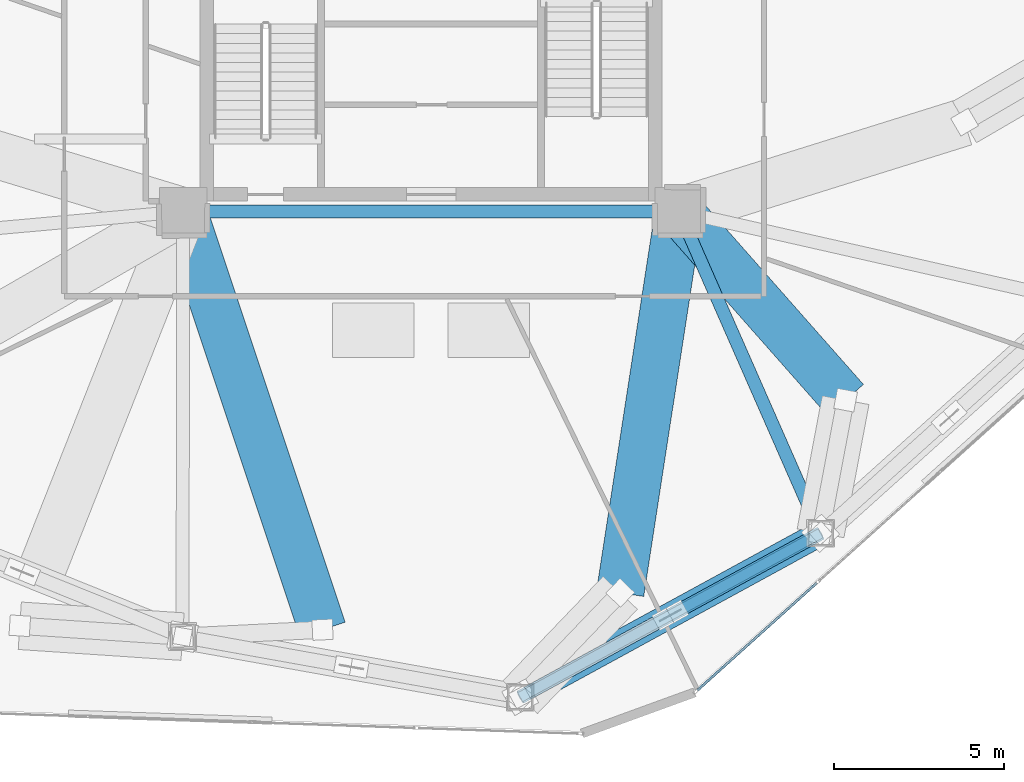
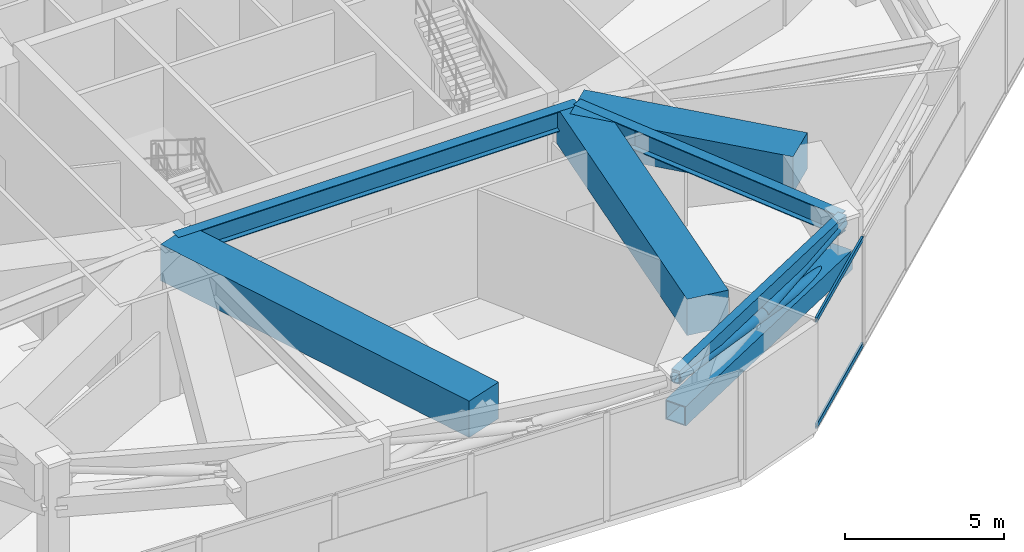
# One storey, part 6 of 25: 6 beams, 5 members, 1 element without a shape of its own.
"""IFC4 building model written with IfcOpenShell, lengths in metres."""

from ifc_helpers import new_model, si_unit, direction, frame, origin, origin_2d, place, context, subcontext, project, spatial, rectangle, hollow_rectangle, hollow_circle, i_section, extrude, source, transform, mapped, material, layer, layer_set, material_profile, profile_set, type_object, type_shapes, element, aggregate, save


model = new_model("IFC4")

# Units and contexts
model_context = context("Model", 3, precision=1e-05, world=origin(), true_north=direction((0.0, 1.0)))
body_context = subcontext(model_context, "Body", "Model", "MODEL_VIEW")
ifc_project = project(units=[si_unit("LENGTHUNIT", "METRE"), si_unit("AREAUNIT", "SQUARE_METRE"), si_unit("VOLUMEUNIT", "CUBIC_METRE"), si_unit("PLANEANGLEUNIT", "RADIAN"), si_unit("MASSUNIT", "GRAM", prefix="KILO")], contexts=[model_context])

# Site, building, storey
site_placement = place(None, origin())
site = spatial("IfcSite", under=ifc_project, at=site_placement, CompositionType="ELEMENT")
building_placement = place(site_placement, origin())
building = spatial("IfcBuilding", under=site, at=building_placement, Name="Talar Marvaseh", CompositionType="ELEMENT")
storey_placement = place(building_placement, frame((0.0, 0.0, 84.800048828125)))
storey = spatial("IfcBuildingStorey", under=building, at=storey_placement, Name="L21", CompositionType="ELEMENT", Elevation=84.800048828125)

# Beams
ifc_material_1 = material(Name="Concrete C70/85", Category="concrete")
ifc_material_profile_1 = material_profile(ifc_material_1, rectangle(XDim=1.39990234375, YDim=1.39990234375, at=origin_2d()), Name="RC1400x1400")
ifc_profile_set_1 = profile_set([ifc_material_profile_1], Name="Concrete C70/85")
beam_type_1 = type_object("IfcBeamType", Name="Setback Deep Concrete Transfer Girder RC1400x1400", PredefinedType="BEAM", material=ifc_profile_set_1)
beam_1_placement = place(storey_placement, frame((38.2060546875, 19.94091796875, 3.449951171875), z_axis=(-0.661692423388, 0.749775390921, 0.0), x_axis=(-0.749775390921, -0.661692423388, 0.0)))
element("IfcBeam", 1, at=beam_1_placement, inside=storey, type_object=beam_type_1, Name="L21 Setback Backspan Transfer Girder 4", PredefinedType="BEAM", context=body_context, shape_type="SweptSolid", body=[
    extrude(rectangle(XDim=1.39990234375, YDim=1.39990234375, at=origin_2d()), origin(), (0.0, 0.0, 1.0), 7.414306640625),
])
beam_2_placement = place(storey_placement, frame((31.570068359375, 14.26806640625, 3.449951171875), z_axis=(0.152228300633, 0.98834535689, 0.0), x_axis=(-0.98834535689, 0.152228300633, 0.0)))
element("IfcBeam", 2, at=beam_2_placement, inside=storey, type_object=beam_type_1, Name="L21 Setback Backspan Transfer Girder 5", PredefinedType="BEAM", context=body_context, shape_type="SweptSolid", body=[
    extrude(rectangle(XDim=1.39990234375, YDim=1.39990234375, at=origin_2d()), origin(), (0.0, 0.0, 1.0), 11.364501953125),
])
beam_3_placement = place(storey_placement, frame((22.804931640625, 13.18310546875, 3.449951171875), z_axis=(-0.316182634321, 0.948698340756, 0.0), x_axis=(-0.948698340756, -0.316182634321, 0.0)))
element("IfcBeam", 3, at=beam_3_placement, inside=storey, type_object=beam_type_1, Name="L21 Setback Backspan Transfer Girder 6", PredefinedType="BEAM", context=body_context, shape_type="SweptSolid", body=[
    extrude(rectangle(XDim=1.39990234375, YDim=1.39990234375, at=origin_2d()), origin(), (0.0, 0.0, 1.0), 12.98291015625),
])
ifc_material_2 = material(Name="Steel S355", Category="steel")
ifc_material_profile_2 = material_profile(ifc_material_2, hollow_rectangle(XDim=0.300048828125, YDim=0.5, WallThickness=0.02001953125, at=origin_2d()), Name="RHS500x300x20")
ifc_profile_set_2 = profile_set([ifc_material_profile_2], Name="Steel S355")
beam_type_2 = type_object("IfcBeamType", Name="Zone 1 Perimeter Spandrel Beam RHS500x300x20", PredefinedType="SPANDREL", material=ifc_profile_set_2)
beam_4_placement = place(storey_placement, frame((37.468017578125, 16.02099609375, 3.89990234375), z_axis=(-0.877792749602, -0.47904059196, 0.0), x_axis=(0.47904059196, -0.877792749602, 0.0)))
element("IfcBeam", 4, at=beam_4_placement, inside=storey, type_object=beam_type_2, Name="L21 Zone 1 Perimeter Spandrel Beam RHS500x300x20", PredefinedType="SPANDREL", context=body_context, shape_type="SweptSolid", body=[
    extrude(hollow_rectangle(XDim=0.300048828125, YDim=0.5, WallThickness=0.02001953125, at=origin_2d()), origin(), (0.0, 0.0, 1.0), 10.07421875),
])
ifc_material_profile_3 = material_profile(ifc_material_2, i_section(OverallWidth=0.381103515625, OverallDepth=0.77294921875, WebThickness=0.0166015625, FlangeThickness=0.027099609375, at=origin_2d()), Name="W760x257")
ifc_profile_set_3 = profile_set([ifc_material_profile_3], Name="Steel S355")
beam_type_3 = type_object("IfcBeamType", Name="Zone 1 Radial Floor Girder W760x257", PredefinedType="BEAM", material=ifc_profile_set_3)
beam_5_placement = place(storey_placement, frame((18.699951171875, 25.5, 3.763427734375), z_axis=(1.0, 0.0, 0.0), x_axis=(0.0, 1.0, 0.0)))
element("IfcBeam", 5, at=beam_5_placement, inside=storey, type_object=beam_type_3, Name="L21 Zone 1 Radial Floor Girder W760x257", PredefinedType="BEAM", context=body_context, shape_type="SweptSolid", body=[
    extrude(i_section(OverallWidth=0.381103515625, OverallDepth=0.77294921875, WebThickness=0.0166015625, FlangeThickness=0.027099609375, at=origin_2d()), origin(), (0.0, 0.0, 1.0), 14.60009765625),
])
beam_6_placement = place(storey_placement, frame((37.468017578125, 16.02099609375, 3.763427734375), z_axis=(-0.402512625991, 0.915414433969, 0.0), x_axis=(-0.915414433969, -0.402512625991, 0.0)))
element("IfcBeam", 6, at=beam_6_placement, inside=storey, type_object=beam_type_3, Name="L21 Zone 1 Radial Floor Girder W760x257", PredefinedType="BEAM", context=body_context, shape_type="SweptSolid", body=[
    extrude(i_section(OverallWidth=0.381103515625, OverallDepth=0.77294921875, WebThickness=0.0166015625, FlangeThickness=0.027099609375, at=origin_2d()), origin(), (0.0, 0.0, 1.0), 10.35498046875),
])

# Members
ifc_material_3 = material(Name="Steel S460", Category="steel")
ifc_material_profile_4 = material_profile(ifc_material_3, hollow_rectangle(XDim=0.75, YDim=0.75, WallThickness=0.0400390625, at=origin_2d()), Name="BOX750x750x40")
ifc_profile_set_4 = profile_set([ifc_material_profile_4], Name="Steel S460")
member_type_1 = type_object("IfcMemberType", Name="Belt Truss Chord Member BOX750x750x40", PredefinedType="CHORD", material=ifc_profile_set_4)
shared_shape_1 = source(origin(), body_context, "Body", "SweptSolid", [
    extrude(hollow_rectangle(XDim=0.75, YDim=0.75, WallThickness=0.0400390625, at=origin_2d()), origin(), (0.0, 0.0, 1.0), 10.07421875),
])
type_shapes(member_type_1, [shared_shape_1])
member_1_placement = place(storey_placement, frame((37.468017578125, 16.02099609375, 2.5), z_axis=(-0.877792749602, -0.47904059196, 0.0), x_axis=(0.47904059196, -0.877792749602, 0.0)))
element("IfcMember", 7, at=member_1_placement, inside=storey, type_object=member_type_1, Name="L21 Belt Truss Bottom Chord 4", PredefinedType="CHORD", context=body_context, shape_type="MappedRepresentation", body=[
    mapped(shared_shape_1, transform((0.0, 0.0, 0.0), x_axis=(1.0, 0.0, 0.0), y_axis=(0.0, 1.0, 0.0), z_axis=(0.0, 0.0, 1.0), scale=1.0)),
])
ifc_material_profile_5 = material_profile(ifc_material_3, hollow_circle(Radius=0.203125, WallThickness=0.01611328125, at=origin_2d()), Name="CHS406x16")
ifc_profile_set_5 = profile_set([ifc_material_profile_5], Name="Steel S460")
member_type_2 = type_object("IfcMemberType", Name="Belt Truss Diagonal Brace CHS406x16", PredefinedType="BRACE", material=ifc_profile_set_5)
shared_shape_2 = source(origin(), body_context, "Body", "SweptSolid", [
    extrude(hollow_circle(Radius=0.203125, WallThickness=0.01611328125, at=origin_2d()), origin(), (0.0, 0.0, 1.0), 10.1640625),
])
member_2_placement = place(storey_placement, frame((37.468017578125, 16.02099609375, 2.5), z_axis=(-0.870017435675, -0.47479734549, 0.132804903284), x_axis=(0.47904059196, -0.877792749602, 0.0)))
element("IfcMember", 8, at=member_2_placement, inside=storey, type_object=member_type_2, Name="L21 Belt Truss Continuous Diagonal 4", PredefinedType="BRACE", context=body_context, shape_type="MappedRepresentation", body=[
    mapped(shared_shape_2, transform((0.0, 0.0, 0.0), x_axis=(1.0, 0.0, 0.0), y_axis=(0.0, 1.0, 0.0), z_axis=(0.0, 0.0, 1.0), scale=1.0)),
])
shared_shape_3 = source(origin(), body_context, "Body", "SweptSolid", [
    extrude(hollow_circle(Radius=0.203125, WallThickness=0.01611328125, at=origin_2d()), origin(), (0.0, 0.0, 1.0), 4.842041015625),
])
type_shapes(member_type_2, [shared_shape_2, shared_shape_3])
member_3_placement = place(storey_placement, frame((33.25537109375, 13.721923828125, 3.206787109375), z_axis=(0.87000911361, 0.474811696486, 0.132808113894), x_axis=(-0.479055279142, 0.877784734161, 0.0)))
element("IfcMember", 9, at=member_3_placement, inside=storey, type_object=member_type_2, Name="L21 Belt Truss Split Diagonal Upper 4", PredefinedType="BRACE", context=body_context, shape_type="MappedRepresentation", body=[
    mapped(shared_shape_3, transform((0.0, 0.0, 0.0), x_axis=(1.0, 0.0, 0.0), y_axis=(0.0, 1.0, 0.0), z_axis=(0.0, 0.0, 1.0), scale=1.0)),
])

# Curtain wall, members
ifc_material_4 = material(Name="Architectural Aluminium", Category="aluminium")
ifc_layer = layer(ifc_material_4, 0.219970703125)
ifc_layer_set = layer_set([ifc_layer], Name="Architectural Aluminium")
curtain_wall_type = type_object("IfcCurtainWallType", Name="Unitised Low-E Museum Curtain Wall Z1", PredefinedType="NOTDEFINED", material=ifc_layer_set)
curtain_wall_placement = place(storey_placement, origin())
curtain_wall = element("IfcCurtainWall", 10, at=curtain_wall_placement, inside=storey, type_object=curtain_wall_type, Name="L21 Unitised Low-E Museum Curtain Wall Z1", PredefinedType="NOTDEFINED")
ifc_material_profile_6 = material_profile(ifc_material_4, hollow_rectangle(XDim=0.074951171875, YDim=0.179931640625, WallThickness=0.0048828125, at=origin_2d()), Name="RHS180x75x5")
ifc_profile_set_6 = profile_set([ifc_material_profile_6], Name="Architectural Aluminium")
member_type_3 = type_object("IfcMemberType", Name="Unitised Curtain Wall Transom RHS180x75x5", PredefinedType="USERDEFINED", material=ifc_profile_set_6)
shared_shape_4 = source(origin(), body_context, "Body", "SweptSolid", [
    extrude(hollow_rectangle(XDim=0.074951171875, YDim=0.179931640625, WallThickness=0.0048828125, at=origin_2d()), origin(), (0.0, 0.0, 1.0), 4.725341796875),
])
type_shapes(member_type_3, [shared_shape_4])
member_4_placement = place(storey_placement, frame((37.356201171875, 14.5615234375, 0.037353515625), z_axis=(-0.743253041178, -0.669010401099, 0.0), x_axis=(0.669010401099, -0.743253041178, 0.0)))
member_4 = element("IfcMember", 11, at=member_4_placement, type_object=member_type_3, Name="CW-Z1 transom 5.1", ObjectType="TRANSOM", PredefinedType="USERDEFINED", context=body_context, shape_type="MappedRepresentation", body=[
    mapped(shared_shape_4, transform((0.0, 0.0, 0.0), x_axis=(1.0, 0.0, 0.0), y_axis=(0.0, 1.0, 0.0), z_axis=(0.0, 0.0, 1.0), scale=1.0)),
])
member_5_placement = place(storey_placement, frame((37.356201171875, 14.5615234375, 4.112548828125), z_axis=(-0.743253041178, -0.669010401099, 0.0), x_axis=(0.669010401099, -0.743253041178, 0.0)))
member_5 = element("IfcMember", 12, at=member_5_placement, type_object=member_type_3, Name="CW-Z1 transom 5.2", ObjectType="TRANSOM", PredefinedType="USERDEFINED", context=body_context, shape_type="MappedRepresentation", body=[
    mapped(shared_shape_4, transform((0.0, 0.0, 0.0), x_axis=(1.0, 0.0, 0.0), y_axis=(0.0, 1.0, 0.0), z_axis=(0.0, 0.0, 1.0), scale=1.0)),
])
aggregate(curtain_wall, [member_4, member_5])

save(model, "model.ifc")
